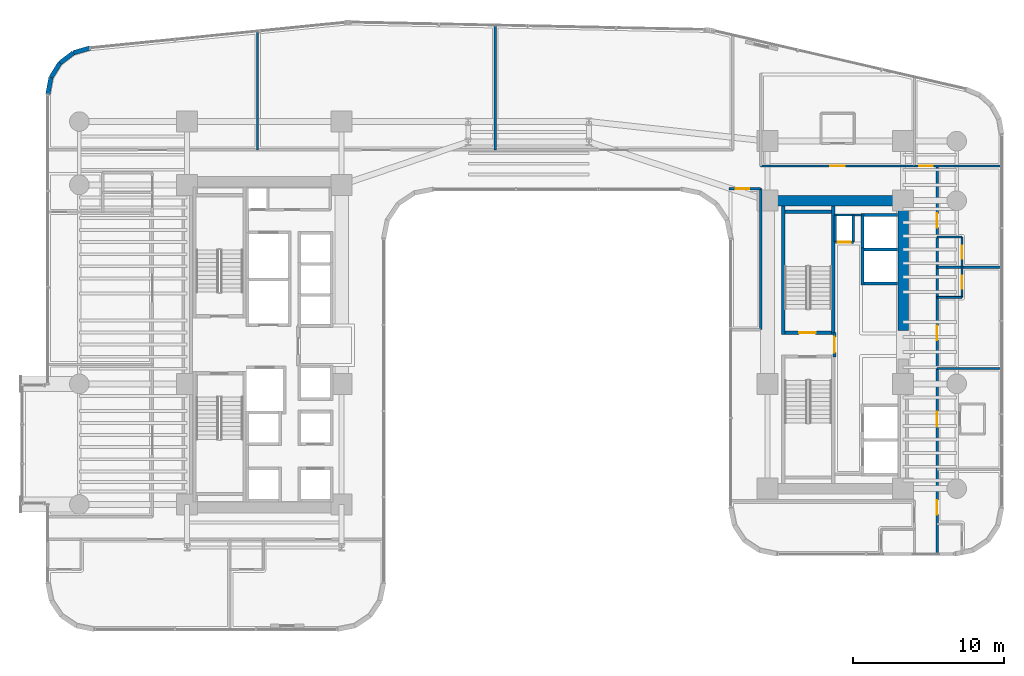
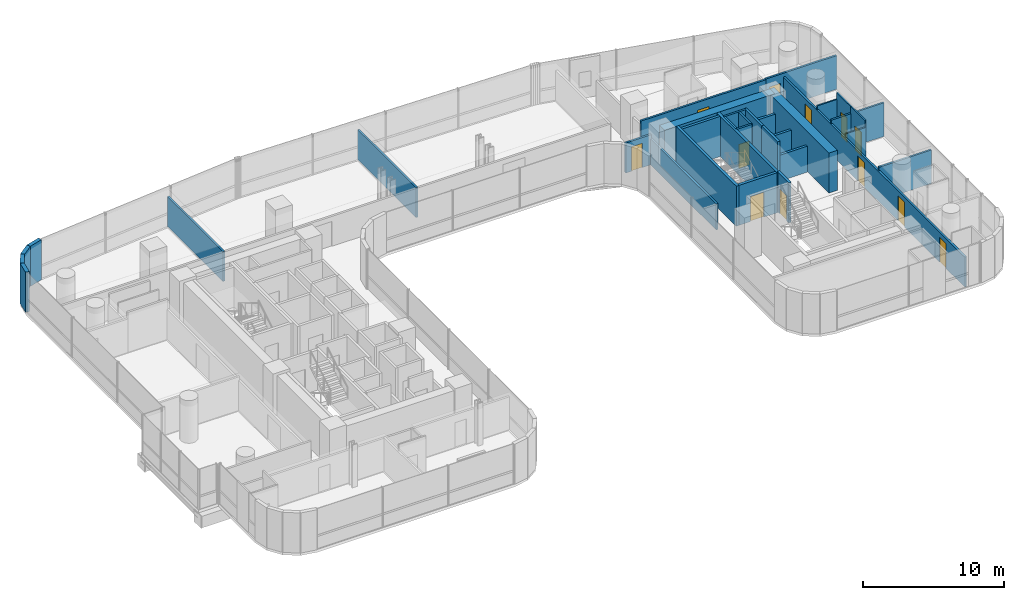
# One storey, part 33 of 40: 33 walls, 12 doors, 12 openings.
"""IFC4 building model written with IfcOpenShell, lengths in metres."""

from ifc_helpers import new_model, si_unit, direction, frame, frame_2d, origin, place, context, subcontext, project, spatial, rectangle, extrude, material, layer, layer_set, type_object, element, fill, save


model = new_model("IFC4")

# Units and contexts
model_context = context("Model", 3, precision=1e-05, world=origin(), true_north=direction((0.0, 1.0)))
body_context = subcontext(model_context, "Body", "Model", "MODEL_VIEW")
ifc_project = project(units=[si_unit("LENGTHUNIT", "METRE"), si_unit("AREAUNIT", "SQUARE_METRE"), si_unit("VOLUMEUNIT", "CUBIC_METRE"), si_unit("PLANEANGLEUNIT", "RADIAN"), si_unit("MASSUNIT", "GRAM", prefix="KILO")], contexts=[model_context])

# Site, building, storey
site_placement = place(None, origin())
site = spatial("IfcSite", under=ifc_project, at=site_placement, CompositionType="ELEMENT")
building_placement = place(site_placement, origin())
building = spatial("IfcBuilding", under=site, at=building_placement, Name="Valdorenza Pilgrim Sanctuary Tower", CompositionType="ELEMENT")
storey_placement = place(building_placement, frame((0.0, 0.0, 66.699951171875)))
storey = spatial("IfcBuildingStorey", under=building, at=storey_placement, Name="L16", CompositionType="ELEMENT", Elevation=66.699951171875)

# Wall, opening, door
ifc_material_1 = material(Name="Acoustic twin-stud gypsum partition", Category="gypsum")
ifc_layer_1 = layer(ifc_material_1, 0.159912109375, Name="Acoustic twin-stud gypsum partition")
ifc_layer_set_1 = layer_set([ifc_layer_1], Name="Acoustic twin-stud gypsum partition")
wall_type_1 = type_object("IfcWallType", Name="WAL-COR-160", PredefinedType="PARTITIONING", material=ifc_layer_set_1)
wall_1_placement = place(storey_placement, frame((20.35009765625, 6.800048828125, 0.0), z_axis=(0.0, 0.0, 1.0), x_axis=(1.0, 0.0, 0.0)))
wall_1 = element("IfcWall", 1, at=wall_1_placement, inside=storey, type_object=wall_type_1, Name="L16 Core B Riser South Wall", PredefinedType="PARTITIONING", context=body_context, shape_type="SweptSolid", body=[
    extrude(rectangle(XDim=1.199951171875, YDim=0.159912109375, at=frame_2d((0.60009765625, 0.0))), origin(), (0.0, 0.0, 1.0), 3.4599609375),
])
opening_1_placement = place(wall_1_placement, frame((0.175048828125, 0.0, 0.0)))
opening_1 = element("IfcOpeningElement", 2, at=opening_1_placement, cuts=wall_1, Name="Opening DR-RS1", PredefinedType="OPENING", context=body_context, shape_type="SweptSolid", body=[
    extrude(rectangle(XDim=0.85009765625, YDim=2.050048828125, at=frame_2d((0.425048828125, 1.02490234375))), frame((0.0, 0.0947265625, 0.0), z_axis=(0.0, -1.0, 0.0), x_axis=(1.0, 0.0, 0.0)), (0.0, 0.0, 1.0), 0.189697265625),
])
ifc_material_2 = material(Name="Painted galvanized steel", Category="steel")
door_type_1 = type_object("IfcDoorType", Name="DR-RSR-850", OperationType="NOTDEFINED", PredefinedType="DOOR", material=ifc_material_2)
door_1_placement = place(opening_1_placement, origin())
door_1 = element("IfcDoor", 3, at=door_1_placement, inside=storey, type_object=door_type_1, Name="L16 Core B Electrical Riser Door", OperationType="SINGLE_SWING_RIGHT", OverallHeight=2.050048828125, OverallWidth=0.85009765625, PredefinedType="DOOR", context=body_context, shape_type="SweptSolid", body=[
    extrude(rectangle(XDim=0.85009765625, YDim=2.050048828125, at=frame_2d((0.425048828125, 1.02490234375))), frame((0.0, 0.02490234375, 0.0), z_axis=(0.0, -1.0, 0.0), x_axis=(1.0, 0.0, 0.0)), (0.0, 0.0, 1.0), 0.050048828125),
])
fill(opening_1, door_1)

# Walls
for number, where, z_axis, x_axis, name in (
    (4, (21.550048828125, 6.800048828125, 0.0), (0.0, 0.0, 1.0), (0.0, 1.0, 0.0), "L16 Core B Riser East Wall"),
    (5, (20.35009765625, 6.800048828125, 0.0), (0.0, 0.0, 1.0), (0.0, 1.0, 0.0), "L16 Core B Riser West Wall"),
):
    element("IfcWall", number, at=place(storey_placement, frame(where, z_axis=z_axis, x_axis=x_axis)), inside=storey, type_object=wall_type_1, Name=name, PredefinedType="PARTITIONING", context=body_context, shape_type="SweptSolid", body=[
        extrude(rectangle(XDim=1.800048828125, YDim=0.159912109375, at=frame_2d((0.89990234375, 0.0))), origin(), (0.0, 0.0, 1.0), 3.4599609375),
    ])
wall_2_placement = place(storey_placement, frame((20.300048828125, 8.60009765625, 0.0), z_axis=(0.0, 0.0, 1.0), x_axis=(1.0, 0.0, 0.0)))
element("IfcWall", 6, at=wall_2_placement, inside=storey, type_object=wall_type_1, Name="L16 Core B Lift Hall North End Wall", PredefinedType="PARTITIONING", context=body_context, shape_type="SweptSolid", body=[
    extrude(rectangle(XDim=1.820068359375, YDim=0.159912109375, at=frame_2d((0.91015625, 0.0))), origin(), (0.0, 0.0, 1.0), 3.4599609375),
])

# Wall, opening, door
wall_3_placement = place(storey_placement, frame((15.39990234375, 11.85009765625, 0.0), z_axis=(0.0, 0.0, 1.0), x_axis=(1.0, 0.0, 0.0)))
wall_3 = element("IfcWall", 7, at=wall_3_placement, inside=storey, type_object=wall_type_1, Name="L16 Wing B North Corridor Wall", PredefinedType="PARTITIONING", context=body_context, shape_type="SweptSolid", body=[
    extrude(rectangle(XDim=10.2001953125, YDim=0.159912109375, at=frame_2d((5.10009765625, 0.0))), origin(), (0.0, 0.0, 1.0), 2.833984375),
])
opening_2_placement = place(wall_3_placement, frame((4.625, 0.0, 0.0)))
opening_2 = element("IfcOpeningElement", 8, at=opening_2_placement, cuts=wall_3, Name="Opening DR-UN1", PredefinedType="OPENING", context=body_context, shape_type="SweptSolid", body=[
    extrude(rectangle(XDim=0.949951171875, YDim=2.14990234375, at=frame_2d((0.47509765625, 1.074951171875))), frame((0.0, 0.0947265625, 0.0), z_axis=(0.0, -1.0, 0.0), x_axis=(1.0, 0.0, 0.0)), (0.0, 0.0, 1.0), 0.189697265625),
])
ifc_material_3 = material(Name="Solid-core European oak timber", Category="wood")
door_type_2 = type_object("IfcDoorType", Name="DR-UNIT-950", OperationType="NOTDEFINED", PredefinedType="DOOR", material=ifc_material_3)
door_2_placement = place(opening_2_placement, frame((0.949951171875, 0.0, 0.0), z_axis=(0.0, 0.0, 1.0), x_axis=(-1.0, 0.0, 0.0)))
door_2 = element("IfcDoor", 9, at=door_2_placement, inside=storey, type_object=door_type_2, Name="L16 East North Guest Room L16-EN1 Entrance Door", OperationType="SINGLE_SWING_LEFT", OverallHeight=2.14990234375, OverallWidth=0.949951171875, PredefinedType="DOOR", context=body_context, shape_type="SweptSolid", body=[
    extrude(rectangle(XDim=0.949951171875, YDim=2.14990234375, at=frame_2d((0.47509765625, 1.074951171875))), frame((0.0, 0.02490234375, 0.0), z_axis=(0.0, -1.0, 0.0), x_axis=(1.0, 0.0, 0.0)), (0.0, 0.0, 1.0), 0.050048828125),
])
fill(opening_2, door_2)

# Wall, openings, doors
wall_4_placement = place(storey_placement, frame((27.10009765625, -13.889892578125, 0.0), z_axis=(0.0, 0.0, 1.0), x_axis=(0.0, 1.0, 0.0)))
wall_4 = element("IfcWall", 10, at=wall_4_placement, inside=storey, type_object=wall_type_1, Name="L16 Wing B East Corridor Wall", PredefinedType="PARTITIONING", context=body_context, shape_type="SweptSolid", body=[
    extrude(rectangle(XDim=25.739990234375, YDim=0.159912109375, at=frame_2d((12.8701171875, 0.0))), origin(), (0.0, 0.0, 1.0), 2.5830078125),
])
opening_3_placement = place(wall_4_placement, frame((2.6201171875, 0.0, 0.0)))
opening_3 = element("IfcOpeningElement", 11, at=opening_3_placement, cuts=wall_4, Name="Opening DR-UN1", PredefinedType="OPENING", context=body_context, shape_type="SweptSolid", body=[
    extrude(rectangle(XDim=0.949951171875, YDim=2.14990234375, at=frame_2d((0.47509765625, 1.074951171875))), frame((0.0, 0.0947265625, 0.0), z_axis=(0.0, -1.0, 0.0), x_axis=(1.0, 0.0, 0.0)), (0.0, 0.0, 1.0), 0.189697265625),
])
opening_4_placement = place(wall_4_placement, frame((8.48388671875, 0.0, 0.0)))
opening_4 = element("IfcOpeningElement", 12, at=opening_4_placement, cuts=wall_4, Name="Opening DR-UN1", PredefinedType="OPENING", context=body_context, shape_type="SweptSolid", body=[
    extrude(rectangle(XDim=0.949951171875, YDim=2.14990234375, at=frame_2d((0.47509765625, 1.074951171875))), frame((0.0, 0.0947265625, 0.0), z_axis=(0.0, -1.0, 0.0), x_axis=(1.0, 0.0, 0.0)), (0.0, 0.0, 1.0), 0.189697265625),
])
opening_5_placement = place(wall_4_placement, frame((14.197021484375, 0.0, 0.0)))
opening_5 = element("IfcOpeningElement", 13, at=opening_5_placement, cuts=wall_4, Name="Opening DR-UN1", PredefinedType="OPENING", context=body_context, shape_type="SweptSolid", body=[
    extrude(rectangle(XDim=0.949951171875, YDim=2.14990234375, at=frame_2d((0.47509765625, 1.074951171875))), frame((0.0, 0.0947265625, 0.0), z_axis=(0.0, -1.0, 0.0), x_axis=(1.0, 0.0, 0.0)), (0.0, 0.0, 1.0), 0.189697265625),
])
opening_6_placement = place(wall_4_placement, frame((21.64794921875, 0.0, 0.0)))
opening_6 = element("IfcOpeningElement", 14, at=opening_6_placement, cuts=wall_4, Name="Opening DR-UN1", PredefinedType="OPENING", context=body_context, shape_type="SweptSolid", body=[
    extrude(rectangle(XDim=0.949951171875, YDim=2.14990234375, at=frame_2d((0.47509765625, 1.074951171875))), frame((0.0, 0.0947265625, 0.0), z_axis=(0.0, -1.0, 0.0), x_axis=(1.0, 0.0, 0.0)), (0.0, 0.0, 1.0), 0.189697265625),
])
door_3_placement = place(opening_3_placement, origin())
door_3 = element("IfcDoor", 15, at=door_3_placement, inside=storey, type_object=door_type_2, Name="L16 East Sanctuary Guest Room L16-EG1 Entrance Door", OperationType="SINGLE_SWING_RIGHT", OverallHeight=2.14990234375, OverallWidth=0.949951171875, PredefinedType="DOOR", context=body_context, shape_type="SweptSolid", body=[
    extrude(rectangle(XDim=0.949951171875, YDim=2.14990234375, at=frame_2d((0.47509765625, 1.074951171875))), frame((0.0, 0.02490234375, 0.0), z_axis=(0.0, -1.0, 0.0), x_axis=(1.0, 0.0, 0.0)), (0.0, 0.0, 1.0), 0.050048828125),
])
fill(opening_3, door_3)
door_4_placement = place(opening_4_placement, origin())
door_4 = element("IfcDoor", 16, at=door_4_placement, inside=storey, type_object=door_type_2, Name="L16 East Sanctuary Guest Room L16-EG2 Entrance Door", OperationType="SINGLE_SWING_RIGHT", OverallHeight=2.14990234375, OverallWidth=0.949951171875, PredefinedType="DOOR", context=body_context, shape_type="SweptSolid", body=[
    extrude(rectangle(XDim=0.949951171875, YDim=2.14990234375, at=frame_2d((0.47509765625, 1.074951171875))), frame((0.0, 0.02490234375, 0.0), z_axis=(0.0, -1.0, 0.0), x_axis=(1.0, 0.0, 0.0)), (0.0, 0.0, 1.0), 0.050048828125),
])
fill(opening_4, door_4)
door_5_placement = place(opening_5_placement, origin())
door_5 = element("IfcDoor", 17, at=door_5_placement, inside=storey, type_object=door_type_2, Name="L16 East Sanctuary Guest Room L16-EG3 Entrance Door", OperationType="SINGLE_SWING_RIGHT", OverallHeight=2.14990234375, OverallWidth=0.949951171875, PredefinedType="DOOR", context=body_context, shape_type="SweptSolid", body=[
    extrude(rectangle(XDim=0.949951171875, YDim=2.14990234375, at=frame_2d((0.47509765625, 1.074951171875))), frame((0.0, 0.02490234375, 0.0), z_axis=(0.0, -1.0, 0.0), x_axis=(1.0, 0.0, 0.0)), (0.0, 0.0, 1.0), 0.050048828125),
])
fill(opening_5, door_5)
door_6_placement = place(opening_6_placement, origin())
door_6 = element("IfcDoor", 18, at=door_6_placement, inside=storey, type_object=door_type_2, Name="L16 East Sanctuary Guest Room L16-EG4 Entrance Door", OperationType="SINGLE_SWING_RIGHT", OverallHeight=2.14990234375, OverallWidth=0.949951171875, PredefinedType="DOOR", context=body_context, shape_type="SweptSolid", body=[
    extrude(rectangle(XDim=0.949951171875, YDim=2.14990234375, at=frame_2d((0.47509765625, 1.074951171875))), frame((0.0, 0.02490234375, 0.0), z_axis=(0.0, -1.0, 0.0), x_axis=(1.0, 0.0, 0.0)), (0.0, 0.0, 1.0), 0.050048828125),
])
fill(opening_6, door_6)

# Wall, opening, door
wall_5_placement = place(storey_placement, frame((25.60009765625, 11.85009765625, 0.0), z_axis=(0.0, 0.0, 1.0), x_axis=(1.0, 0.0, 0.0)))
wall_5 = element("IfcWall", 19, at=wall_5_placement, inside=storey, type_object=wall_type_1, Name="L16 East Wing NE Corner South Wall", PredefinedType="PARTITIONING", context=body_context, shape_type="SweptSolid", body=[
    extrude(rectangle(XDim=5.789794921875, YDim=0.159912109375, at=frame_2d((2.89501953125, 0.0))), origin(), (0.0, 0.0, 1.0), 2.89599609375),
])
opening_7_placement = place(wall_5_placement, frame((0.300048828125, 0.0, 0.0)))
opening_7 = element("IfcOpeningElement", 20, at=opening_7_placement, cuts=wall_5, Name="Opening DR-RM1", PredefinedType="OPENING", context=body_context, shape_type="SweptSolid", body=[
    extrude(rectangle(XDim=0.89990234375, YDim=2.10009765625, at=frame_2d((0.449951171875, 1.050048828125))), frame((0.0, 0.0947265625, 0.0), z_axis=(0.0, -1.0, 0.0), x_axis=(1.0, 0.0, 0.0)), (0.0, 0.0, 1.0), 0.189697265625),
])
door_type_3 = type_object("IfcDoorType", Name="DR-ROOM-900", OperationType="NOTDEFINED", PredefinedType="DOOR", material=ifc_material_3)
door_7_placement = place(opening_7_placement, origin())
door_7 = element("IfcDoor", 21, at=door_7_placement, inside=storey, type_object=door_type_3, Name="L16 East North Alcove Office L16 Door", OperationType="SINGLE_SWING_LEFT", OverallHeight=2.10009765625, OverallWidth=0.89990234375, PredefinedType="DOOR", context=body_context, shape_type="SweptSolid", body=[
    extrude(rectangle(XDim=0.89990234375, YDim=2.10009765625, at=frame_2d((0.449951171875, 1.050048828125))), frame((0.0, 0.02490234375, 0.0), z_axis=(0.0, -1.0, 0.0), x_axis=(1.0, 0.0, 0.0)), (0.0, 0.0, 1.0), 0.050048828125),
])
fill(opening_7, door_7)

wall_6_placement = place(storey_placement, frame((13.300048828125, 10.35009765625, 0.0), z_axis=(0.0, 0.0, 1.0), x_axis=(1.0, 0.0, 0.0)))
wall_6 = element("IfcWall", 22, at=wall_6_placement, inside=storey, type_object=wall_type_1, Name="L16 Courtyard Overlook North Wall", PredefinedType="PARTITIONING", context=body_context, shape_type="SweptSolid", body=[
    extrude(rectangle(XDim=2.099853515625, YDim=0.159912109375, at=frame_2d((1.0498046875, 0.0))), origin(), (0.0, 0.0, 1.0), 2.5830078125),
])
opening_8_placement = place(wall_6_placement, frame((0.449951171875, 0.0, 0.0)))
opening_8 = element("IfcOpeningElement", 23, at=opening_8_placement, cuts=wall_6, Name="Opening DR-RM1", PredefinedType="OPENING", context=body_context, shape_type="SweptSolid", body=[
    extrude(rectangle(XDim=0.89990234375, YDim=2.10009765625, at=frame_2d((0.449951171875, 1.050048828125))), frame((0.0, 0.0947265625, 0.0), z_axis=(0.0, -1.0, 0.0), x_axis=(1.0, 0.0, 0.0)), (0.0, 0.0, 1.0), 0.189697265625),
])
door_8_placement = place(opening_8_placement, origin())
door_8 = element("IfcDoor", 24, at=door_8_placement, inside=storey, type_object=door_type_3, Name="L16 Courtyard Overlook Salon Door", OperationType="SINGLE_SWING_RIGHT", OverallHeight=2.10009765625, OverallWidth=0.89990234375, PredefinedType="DOOR", context=body_context, shape_type="SweptSolid", body=[
    extrude(rectangle(XDim=0.89990234375, YDim=2.10009765625, at=frame_2d((0.449951171875, 1.050048828125))), frame((0.0, 0.02490234375, 0.0), z_axis=(0.0, -1.0, 0.0), x_axis=(1.0, 0.0, 0.0)), (0.0, 0.0, 1.0), 0.050048828125),
])
fill(opening_8, door_8)

# Walls
wall_7_placement = place(storey_placement, frame((15.39990234375, 1.0, 0.0), z_axis=(0.0, 0.0, 1.0), x_axis=(0.0, 1.0, 0.0)))
element("IfcWall", 25, at=wall_7_placement, inside=storey, type_object=wall_type_1, Name="L16 Courtyard Overlook East Wall", PredefinedType="PARTITIONING", context=body_context, shape_type="SweptSolid", body=[
    extrude(rectangle(XDim=9.35009765625, YDim=0.159912109375, at=frame_2d((4.675048828125, 0.0))), origin(), (0.0, 0.0, 1.0), 2.2451171875),
])
ifc_material_4 = material(Name="Concrete C60/75", Category="concrete")
ifc_layer_2 = layer(ifc_material_4, 0.699951171875, Name="Concrete C60/75")
ifc_layer_set_2 = layer_set([ifc_layer_2], Name="Concrete C60/75")
wall_type_2 = type_object("IfcWallType", Name="WAL-COR-700", PredefinedType="SHEAR", material=ifc_layer_set_2)
wall_8_placement = place(storey_placement, frame((24.85009765625, 0.949951171875, 0.0), z_axis=(0.0, 0.0, 1.0), x_axis=(0.0, 1.0, 0.0)))
element("IfcWall", 26, at=wall_8_placement, inside=storey, type_object=wall_type_2, Name="L16 Split Core B Shear Wall EN", PredefinedType="SHEAR", context=body_context, shape_type="SweptSolid", body=[
    extrude(rectangle(XDim=8.949951171875, YDim=0.699951171875, at=frame_2d((4.47509765625, 0.0))), origin(), (0.0, 0.0, 1.0), 3.4599609375),
])
wall_9_placement = place(storey_placement, frame((15.85009765625, 9.550048828125, 0.0), z_axis=(0.0, 0.0, 1.0), x_axis=(1.0, 0.0, 0.0)))
element("IfcWall", 27, at=wall_9_placement, inside=storey, type_object=wall_type_2, Name="L16 Split Core B Shear Wall N", PredefinedType="SHEAR", context=body_context, shape_type="SweptSolid", body=[
    extrude(rectangle(XDim=9.0, YDim=0.699951171875, at=frame_2d((4.5, 0.0))), origin(), (0.0, 0.0, 1.0), 3.4599609375),
])
ifc_material_5 = material(Name="Honed travertine limestone", Category="masonry")
ifc_layer_3 = layer(ifc_material_5, 0.300048828125, Name="Honed travertine limestone")
ifc_layer_set_3 = layer_set([ifc_layer_3], Name="Honed travertine limestone")
wall_type_3 = type_object("IfcWallType", Name="WAL-EXT-300", PredefinedType="SOLIDWALL", material=ifc_layer_set_3)
wall_10_placement = place(storey_placement, frame((-31.889892578125, 16.593994140625, 0.0), z_axis=(0.0, 0.0, 1.0), x_axis=(0.182748995683, 0.9831596028, 0.0)))
element("IfcWall", 28, at=wall_10_placement, inside=storey, type_object=wall_type_3, Name="L16 Rounded Wind-Corner Stone Pier 2", PredefinedType="SOLIDWALL", context=body_context, shape_type="SweptSolid", body=[
    extrude(rectangle(XDim=1.1396484375, YDim=0.300048828125, at=frame_2d((0.56982421875, 0.0))), origin(), (0.0, 0.0, 1.0), 3.4599609375),
])
wall_11_placement = place(storey_placement, frame((-31.681640625, 17.71435546875, 0.0), z_axis=(0.0, 0.0, 1.0), x_axis=(0.524157723014, 0.8516212077, 0.0)))
element("IfcWall", 29, at=wall_11_placement, inside=storey, type_object=wall_type_3, Name="L16 Rounded Wind-Corner Stone Pier 3", PredefinedType="SOLIDWALL", context=body_context, shape_type="SweptSolid", body=[
    extrude(rectangle(XDim=1.12939453125, YDim=0.300048828125, at=frame_2d((0.564697265625, 0.0))), origin(), (0.0, 0.0, 1.0), 3.4599609375),
])
wall_12_placement = place(storey_placement, frame((-31.089599609375, 18.67626953125, 0.0), z_axis=(0.0, 0.0, 1.0), x_axis=(0.795253002434, 0.606277710393, 0.0)))
element("IfcWall", 30, at=wall_12_placement, inside=storey, type_object=wall_type_3, Name="L16 Rounded Wind-Corner Stone Pier 4", PredefinedType="SOLIDWALL", context=body_context, shape_type="SweptSolid", body=[
    extrude(rectangle(XDim=1.129150390625, YDim=0.300048828125, at=frame_2d((0.564453125, 0.0))), origin(), (0.0, 0.0, 1.0), 3.4599609375),
])
wall_13_placement = place(storey_placement, frame((-30.191650390625, 19.36083984375, 0.0), z_axis=(0.0, 0.0, 1.0), x_axis=(0.960071941549, 0.279753225271, 0.0)))
element("IfcWall", 31, at=wall_13_placement, inside=storey, type_object=wall_type_3, Name="L16 Rounded Wind-Corner Stone Pier 5", PredefinedType="SOLIDWALL", context=body_context, shape_type="SweptSolid", body=[
    extrude(rectangle(XDim=1.1396484375, YDim=0.300048828125, at=frame_2d((0.56982421875, 0.0))), origin(), (0.0, 0.0, 1.0), 3.4599609375),
])

# Wall, opening, door
ifc_material_6 = material(Name="Gypsum shaftwall partition", Category="gypsum")
ifc_layer_4 = layer(ifc_material_6, 0.199951171875, Name="Gypsum shaftwall partition")
ifc_layer_set_4 = layer_set([ifc_layer_4], Name="Gypsum shaftwall partition")
wall_type_4 = type_object("IfcWallType", Name="WAL-FFL-200", PredefinedType="PARTITIONING", material=ifc_layer_set_4)
wall_14_placement = place(storey_placement, frame((20.300048828125, -0.820068359375, 0.0), z_axis=(0.0, 0.0, 1.0), x_axis=(0.0, 1.0, 0.0)))
wall_14 = element("IfcWall", 32, at=wall_14_placement, inside=storey, type_object=wall_type_4, Name="L16 Core B Firefighting Lobby East Wall", PredefinedType="PARTITIONING", context=body_context, shape_type="SweptSolid", body=[
    extrude(rectangle(XDim=1.64013671875, YDim=0.199951171875, at=frame_2d((0.820068359375, 0.0))), origin(), (0.0, 0.0, 1.0), 3.4599609375),
])
opening_9_placement = place(wall_14_placement, frame((0.294921875, 0.0, 0.0)))
opening_9 = element("IfcOpeningElement", 33, at=opening_9_placement, cuts=wall_14, Name="Opening DR-FL1", PredefinedType="OPENING", context=body_context, shape_type="SweptSolid", body=[
    extrude(rectangle(XDim=1.050048828125, YDim=2.14990234375, at=frame_2d((0.52490234375, 1.074951171875))), frame((0.0, 0.11474609375, 0.0), z_axis=(0.0, -1.0, 0.0), x_axis=(1.0, 0.0, 0.0)), (0.0, 0.0, 1.0), 0.229736328125),
])
door_type_4 = type_object("IfcDoorType", Name="DR-FFL-1050", OperationType="NOTDEFINED", PredefinedType="DOOR", material=ifc_material_2)
door_9_placement = place(opening_9_placement, frame((1.050048828125, 0.0, 0.0), z_axis=(0.0, 0.0, 1.0), x_axis=(-1.0, 0.0, 0.0)))
door_9 = element("IfcDoor", 34, at=door_9_placement, inside=storey, type_object=door_type_4, Name="L16 Core B Firefighting Lobby Door", OperationType="SINGLE_SWING_LEFT", OverallHeight=2.14990234375, OverallWidth=1.050048828125, PredefinedType="DOOR", context=body_context, shape_type="SweptSolid", body=[
    extrude(rectangle(XDim=1.050048828125, YDim=2.14990234375, at=frame_2d((0.52490234375, 1.074951171875))), frame((0.0, 0.02490234375, 0.0), z_axis=(0.0, -1.0, 0.0), x_axis=(1.0, 0.0, 0.0)), (0.0, 0.0, 1.0), 0.050048828125),
])
fill(opening_9, door_9)

# Wall
ifc_material_7 = material(Name="Moisture-resistant gypsum partition", Category="gypsum")
ifc_layer_5 = layer(ifc_material_7, 0.1201171875, Name="Moisture-resistant gypsum partition")
ifc_layer_set_5 = layer_set([ifc_layer_5], Name="Moisture-resistant gypsum partition")
wall_type_5 = type_object("IfcWallType", Name="WAL-INT-120", PredefinedType="PARTITIONING", material=ifc_layer_set_5)
wall_15_placement = place(storey_placement, frame((27.10009765625, 3.137939453125, 0.0), z_axis=(0.0, 0.0, 1.0), x_axis=(1.0, 0.0, 0.0)))
element("IfcWall", 35, at=wall_15_placement, inside=storey, type_object=wall_type_5, Name="L16 East Sanctuary Guest Room L16-EG3 En-suite South Wall", PredefinedType="PARTITIONING", context=body_context, shape_type="SweptSolid", body=[
    extrude(rectangle(XDim=1.64990234375, YDim=0.1201171875, at=frame_2d((0.824951171875, 0.0))), origin(), (0.0, 0.0, 1.0), 2.89599609375),
])

# Wall, opening, door
wall_16_placement = place(storey_placement, frame((28.75, 3.137939453125, 0.0), z_axis=(0.0, 0.0, 1.0), x_axis=(0.0, 1.0, 0.0)))
wall_16 = element("IfcWall", 36, at=wall_16_placement, inside=storey, type_object=wall_type_5, Name="L16 East Sanctuary Guest Room L16-EG3 En-suite Door Wall", PredefinedType="PARTITIONING", context=body_context, shape_type="SweptSolid", body=[
    extrude(rectangle(XDim=2.0, YDim=0.1201171875, at=frame_2d((1.0, 0.0))), origin(), (0.0, 0.0, 1.0), 3.4599609375),
])
opening_10_placement = place(wall_16_placement, frame((0.574951171875, 0.0, 0.0)))
opening_10 = element("IfcOpeningElement", 37, at=opening_10_placement, cuts=wall_16, Name="Opening DR-WC1", PredefinedType="OPENING", context=body_context, shape_type="SweptSolid", body=[
    extrude(rectangle(XDim=0.85009765625, YDim=2.10009765625, at=frame_2d((0.425048828125, 1.050048828125))), frame((0.0, 0.074951171875, 0.0), z_axis=(0.0, -1.0, 0.0), x_axis=(1.0, 0.0, 0.0)), (0.0, 0.0, 1.0), 0.14990234375),
])
ifc_material_8 = material(Name="Moisture-resistant lacquered timber", Category="wood")
door_type_5 = type_object("IfcDoorType", Name="DR-BATH-850", OperationType="NOTDEFINED", PredefinedType="DOOR", material=ifc_material_8)
door_10_placement = place(opening_10_placement, origin())
door_10 = element("IfcDoor", 38, at=door_10_placement, inside=storey, type_object=door_type_5, Name="L16 East Sanctuary Guest Room L16-EG3 En-suite Bathroom Door", OperationType="SINGLE_SWING_LEFT", OverallHeight=2.10009765625, OverallWidth=0.85009765625, PredefinedType="DOOR", context=body_context, shape_type="SweptSolid", body=[
    extrude(rectangle(XDim=0.85009765625, YDim=2.10009765625, at=frame_2d((0.425048828125, 1.050048828125))), frame((0.0, 0.02490234375, 0.0), z_axis=(0.0, -1.0, 0.0), x_axis=(1.0, 0.0, 0.0)), (0.0, 0.0, 1.0), 0.050048828125),
])
fill(opening_10, door_10)

# Wall
wall_17_placement = place(storey_placement, frame((27.10009765625, 7.137939453125, 0.0), z_axis=(0.0, 0.0, 1.0), x_axis=(1.0, 0.0, 0.0)))
element("IfcWall", 39, at=wall_17_placement, inside=storey, type_object=wall_type_5, Name="L16 East Sanctuary Guest Room L16-EG4 En-suite North Wall", PredefinedType="PARTITIONING", context=body_context, shape_type="SweptSolid", body=[
    extrude(rectangle(XDim=1.64990234375, YDim=0.1201171875, at=frame_2d((0.824951171875, 0.0))), origin(), (0.0, 0.0, 1.0), 2.89599609375),
])

# Wall, opening, door
wall_18_placement = place(storey_placement, frame((28.75, 5.137939453125, 0.0), z_axis=(0.0, 0.0, 1.0), x_axis=(0.0, 1.0, 0.0)))
wall_18 = element("IfcWall", 40, at=wall_18_placement, inside=storey, type_object=wall_type_5, Name="L16 East Sanctuary Guest Room L16-EG4 En-suite Door Wall", PredefinedType="PARTITIONING", context=body_context, shape_type="SweptSolid", body=[
    extrude(rectangle(XDim=2.0, YDim=0.1201171875, at=frame_2d((1.0, 0.0))), origin(), (0.0, 0.0, 1.0), 3.4599609375),
])
opening_11_placement = place(wall_18_placement, frame((0.574951171875, 0.0, 0.0)))
opening_11 = element("IfcOpeningElement", 41, at=opening_11_placement, cuts=wall_18, Name="Opening DR-WC1", PredefinedType="OPENING", context=body_context, shape_type="SweptSolid", body=[
    extrude(rectangle(XDim=0.85009765625, YDim=2.10009765625, at=frame_2d((0.425048828125, 1.050048828125))), frame((0.0, 0.074951171875, 0.0), z_axis=(0.0, -1.0, 0.0), x_axis=(1.0, 0.0, 0.0)), (0.0, 0.0, 1.0), 0.14990234375),
])
door_11_placement = place(opening_11_placement, origin())
door_11 = element("IfcDoor", 42, at=door_11_placement, inside=storey, type_object=door_type_5, Name="L16 East Sanctuary Guest Room L16-EG4 En-suite Bathroom Door", OperationType="SINGLE_SWING_LEFT", OverallHeight=2.10009765625, OverallWidth=0.85009765625, PredefinedType="DOOR", context=body_context, shape_type="SweptSolid", body=[
    extrude(rectangle(XDim=0.85009765625, YDim=2.10009765625, at=frame_2d((0.425048828125, 1.050048828125))), frame((0.0, 0.02490234375, 0.0), z_axis=(0.0, -1.0, 0.0), x_axis=(1.0, 0.0, 0.0)), (0.0, 0.0, 1.0), 0.050048828125),
])
fill(opening_11, door_11)

# Walls
ifc_material_9 = material(Name="Autoclaved aerated concrete blockwork", Category="masonry")
ifc_layer_6 = layer(ifc_material_9, 0.199951171875, Name="Autoclaved aerated concrete blockwork")
ifc_layer_set_6 = layer_set([ifc_layer_6], Name="Autoclaved aerated concrete blockwork")
wall_type_6 = type_object("IfcWallType", Name="WAL-SHF-200", PredefinedType="MOVABLE", material=ifc_layer_set_6)
wall_19_placement = place(storey_placement, frame((22.14990234375, 3.949951171875, 0.0), z_axis=(0.0, 0.0, 1.0), x_axis=(0.0, 1.0, 0.0)))
element("IfcWall", 43, at=wall_19_placement, inside=storey, type_object=wall_type_6, Name="L16 Lift PL-07 Hoistway Wall West", PredefinedType="MOVABLE", context=body_context, shape_type="SweptSolid", body=[
    extrude(rectangle(XDim=2.47509765625, YDim=0.199951171875, at=frame_2d((1.237548828125, 0.0))), origin(), (0.0, 0.0, 1.0), 3.4599609375),
])
for number, where, z_axis, x_axis, name in (
    (44, (22.25, 4.050048828125, 0.0), (0.0, 0.0, 1.0), (1.0, 0.0, 0.0), "L16 Lift PL-07 Hoistway Wall South"),
    (45, (22.25, 6.324951171875, 0.0), (0.0, 0.0, 1.0), (1.0, 0.0, 0.0), "L16 Lift PL-07 Hoistway Wall North"),
):
    element("IfcWall", number, at=place(storey_placement, frame(where, z_axis=z_axis, x_axis=x_axis)), inside=storey, type_object=wall_type_6, Name=name, PredefinedType="MOVABLE", context=body_context, shape_type="SweptSolid", body=[
        extrude(rectangle(XDim=2.22998046875, YDim=0.199951171875, at=frame_2d((1.114990234375, 0.0))), origin(), (0.0, 0.0, 1.0), 2.2451171875),
    ])
wall_20_placement = place(storey_placement, frame((22.14990234375, 6.22509765625, 0.0), z_axis=(0.0, 0.0, 1.0), x_axis=(0.0, 1.0, 0.0)))
element("IfcWall", 46, at=wall_20_placement, inside=storey, type_object=wall_type_6, Name="L16 Lift PL-08 Hoistway Wall West", PredefinedType="MOVABLE", context=body_context, shape_type="SweptSolid", body=[
    extrude(rectangle(XDim=2.474853515625, YDim=0.199951171875, at=frame_2d((1.2373046875, 0.0))), origin(), (0.0, 0.0, 1.0), 3.4599609375),
])
wall_21_placement = place(storey_placement, frame((22.25, 8.60009765625, 0.0), z_axis=(0.0, 0.0, 1.0), x_axis=(1.0, 0.0, 0.0)))
element("IfcWall", 47, at=wall_21_placement, inside=storey, type_object=wall_type_6, Name="L16 Lift PL-08 Hoistway Wall North", PredefinedType="MOVABLE", context=body_context, shape_type="SweptSolid", body=[
    extrude(rectangle(XDim=2.22998046875, YDim=0.199951171875, at=frame_2d((1.114990234375, 0.0))), origin(), (0.0, 0.0, 1.0), 2.2451171875),
])
ifc_material_10 = material(Name="Concrete C40/50", Category="concrete")
ifc_layer_7 = layer(ifc_material_10, 0.219970703125, Name="Concrete C40/50")
ifc_layer_set_7 = layer_set([ifc_layer_7], Name="Concrete C40/50")
wall_type_7 = type_object("IfcWallType", Name="WAL-STR-SHF-220", PredefinedType="SHEAR", material=ifc_layer_set_7)
for number, where, z_axis, x_axis, name in (
    (48, (16.889892578125, 0.679931640625, 0.0), (0.0, 0.0, 1.0), (0.0, 1.0, 0.0), "L16 ST-B1 Structural Stairwell Wall W"),
    (49, (20.219970703125, 0.679931640625, 0.0), (0.0, 0.0, 1.0), (0.0, 1.0, 0.0), "L16 ST-B1 Structural Stairwell Wall E"),
):
    element("IfcWall", number, at=place(storey_placement, frame(where, z_axis=z_axis, x_axis=x_axis)), inside=storey, type_object=wall_type_7, Name=name, PredefinedType="SHEAR", context=body_context, shape_type="SweptSolid", body=[
        extrude(rectangle(XDim=8.52001953125, YDim=0.219970703125, at=frame_2d((4.260009765625, 0.0))), origin(), (0.0, 0.0, 1.0), 3.4599609375),
    ])

# Wall, opening, door
wall_22_placement = place(storey_placement, frame((17.0, 0.7900390625, 0.0), z_axis=(0.0, 0.0, 1.0), x_axis=(1.0, 0.0, 0.0)))
wall_22 = element("IfcWall", 50, at=wall_22_placement, inside=storey, type_object=wall_type_7, Name="L16 ST-B1 Structural Stairwell Wall S", PredefinedType="SHEAR", context=body_context, shape_type="SweptSolid", body=[
    extrude(rectangle(XDim=3.110107421875, YDim=0.219970703125, at=frame_2d((1.55517578125, 0.0))), origin(), (0.0, 0.0, 1.0), 3.4599609375),
])
opening_12_placement = place(wall_22_placement, frame((0.949951171875, 0.0, 0.0)))
opening_12 = element("IfcOpeningElement", 51, at=opening_12_placement, cuts=wall_22, Name="Opening DR-ST1", PredefinedType="OPENING", context=body_context, shape_type="SweptSolid", body=[
    extrude(rectangle(XDim=1.10009765625, YDim=2.14990234375, at=frame_2d((0.550048828125, 1.074951171875))), frame((0.0, 0.125, 0.0), z_axis=(0.0, -1.0, 0.0), x_axis=(1.0, 0.0, 0.0)), (0.0, 0.0, 1.0), 0.249755859375),
])
door_type_6 = type_object("IfcDoorType", Name="DR-STAIR-1100", OperationType="NOTDEFINED", PredefinedType="DOOR", material=ifc_material_2)
door_12_placement = place(opening_12_placement, origin())
door_12 = element("IfcDoor", 52, at=door_12_placement, inside=storey, type_object=door_type_6, Name="L16 Exit Stair ST-B1 Door", OperationType="SINGLE_SWING_RIGHT", OverallHeight=2.14990234375, OverallWidth=1.10009765625, PredefinedType="DOOR", context=body_context, shape_type="SweptSolid", body=[
    extrude(rectangle(XDim=1.10009765625, YDim=2.14990234375, at=frame_2d((0.550048828125, 1.074951171875))), frame((0.0, 0.02490234375, 0.0), z_axis=(0.0, -1.0, 0.0), x_axis=(1.0, 0.0, 0.0)), (0.0, 0.0, 1.0), 0.050048828125),
])
fill(opening_12, door_12)

# Walls
wall_23_placement = place(storey_placement, frame((17.0, 8.81005859375, 0.0), z_axis=(0.0, 0.0, 1.0), x_axis=(1.0, 0.0, 0.0)))
element("IfcWall", 53, at=wall_23_placement, inside=storey, type_object=wall_type_7, Name="L16 ST-B1 Structural Stairwell Wall N", PredefinedType="SHEAR", context=body_context, shape_type="SweptSolid", body=[
    extrude(rectangle(XDim=3.110107421875, YDim=0.219970703125, at=frame_2d((1.55517578125, 0.0))), origin(), (0.0, 0.0, 1.0), 3.4599609375),
])
ifc_layer_8 = layer(ifc_material_1, 0.14990234375, Name="Acoustic twin-stud gypsum partition")
ifc_layer_set_8 = layer_set([ifc_layer_8], Name="Acoustic twin-stud gypsum partition")
wall_type_8 = type_object("IfcWallType", Name="WAL-UNT-150", PredefinedType="PARTITIONING", material=ifc_layer_set_8)
wall_24_placement = place(storey_placement, frame((-17.976806640625, 12.919921875, 0.0), z_axis=(0.0, 0.0, 1.0), x_axis=(0.0, 1.0, 0.0)))
element("IfcWall", 54, at=wall_24_placement, inside=storey, type_object=wall_type_8, Name="L16 Sacred Art Exhibition Gallery L16-NG2 Demising Wall", PredefinedType="PARTITIONING", context=body_context, shape_type="SweptSolid", body=[
    extrude(rectangle(XDim=7.871826171875, YDim=0.14990234375, at=frame_2d((3.93603515625, 0.0))), origin(), (0.0, 0.0, 1.0), 2.5830078125),
])
wall_25_placement = place(storey_placement, frame((-2.21337890625, 12.919921875, 0.0), z_axis=(0.0, 0.0, 1.0), x_axis=(0.0, 1.0, 0.0)))
element("IfcWall", 55, at=wall_25_placement, inside=storey, type_object=wall_type_8, Name="L16 Sacred Art Exhibition Gallery L16-NG3 Demising Wall", PredefinedType="PARTITIONING", context=body_context, shape_type="SweptSolid", body=[
    extrude(rectangle(XDim=8.26611328125, YDim=0.14990234375, at=frame_2d((4.133056640625, 0.0))), origin(), (0.0, 0.0, 1.0), 2.5830078125),
])
for number, where, z_axis, x_axis, name in (
    (56, (27.10009765625, -1.574951171875, 0.0), (0.0, 0.0, 1.0), (1.0, 0.0, 0.0), "L16 East Wing Guest Demising 2"),
    (57, (27.10009765625, 5.137939453125, 0.0), (0.0, 0.0, 1.0), (1.0, 0.0, 0.0), "L16 East Wing Guest Demising 3"),
):
    element("IfcWall", number, at=place(storey_placement, frame(where, z_axis=z_axis, x_axis=x_axis)), inside=storey, type_object=wall_type_8, Name=name, PredefinedType="PARTITIONING", context=body_context, shape_type="SweptSolid", body=[
        extrude(rectangle(XDim=4.289794921875, YDim=0.14990234375, at=frame_2d((2.14501953125, 0.0))), origin(), (0.0, 0.0, 1.0), 2.89599609375),
    ])

save(model, "model.ifc")
